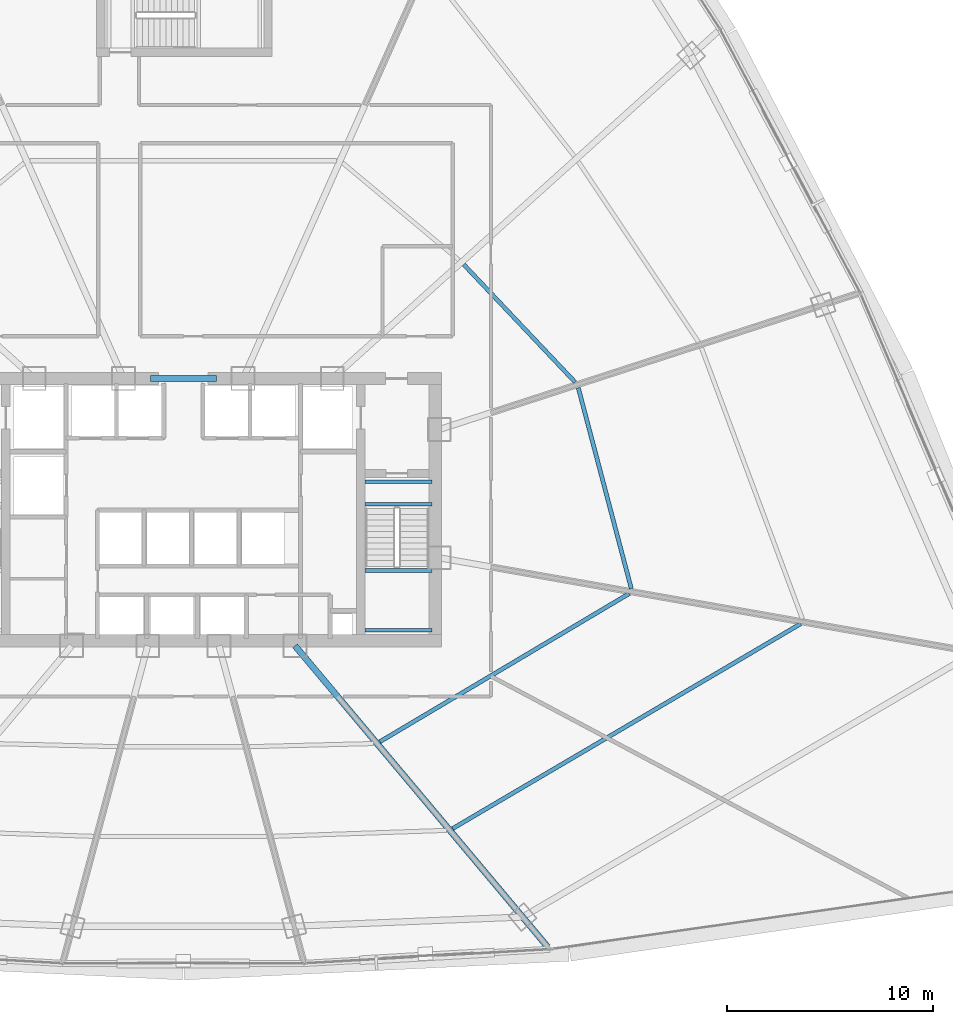
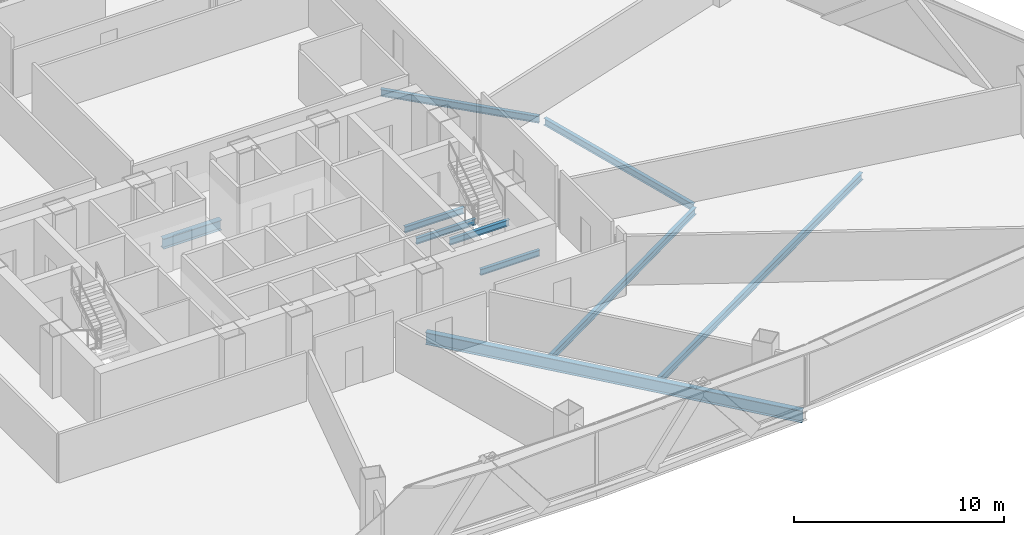
# One storey, part 13 of 39: 10 beams.
"""IFC4 building model written with IfcOpenShell, lengths in metres."""

from ifc_helpers import new_model, si_unit, direction, frame, origin, origin_2d, place, context, subcontext, project, spatial, i_section, extrude, source, transform, mapped, material, material_profile, profile_set, type_object, element, save


model = new_model("IFC4")

# Units and contexts
model_context = context("Model", 3, precision=1e-05, world=origin(), true_north=direction((0.0, 1.0)))
body_context = subcontext(model_context, "Body", "Model", "MODEL_VIEW")
ifc_project = project(units=[si_unit("LENGTHUNIT", "METRE"), si_unit("AREAUNIT", "SQUARE_METRE"), si_unit("VOLUMEUNIT", "CUBIC_METRE"), si_unit("PLANEANGLEUNIT", "RADIAN"), si_unit("MASSUNIT", "GRAM", prefix="KILO"), si_unit("THERMODYNAMICTEMPERATUREUNIT", "KELVIN"), si_unit("POWERUNIT", "WATT")], contexts=[model_context])

# Site, building, storey
site_placement = place(None, origin())
site = spatial("IfcSite", under=ifc_project, at=site_placement, CompositionType="ELEMENT")
building_placement = place(site_placement, origin())
building = spatial("IfcBuilding", under=site, at=building_placement, Name="Yunzhuo Pagoda Commons", CompositionType="ELEMENT")
storey_placement = place(building_placement, frame((0.0, 0.0, 100.179931640625)))
storey = spatial("IfcBuildingStorey", under=building, at=storey_placement, Name="L25", CompositionType="ELEMENT", Elevation=100.179931640625)

# Beams
ifc_material_1 = material(Name="Structural steel Q355B", Category="steel")
ifc_material_profile_1 = material_profile(ifc_material_1, i_section(OverallWidth=0.175048828125, OverallDepth=0.35009765625, WebThickness=0.007080078125, FlangeThickness=0.010986328125, at=origin_2d()), Name="Structural steel Q355B")
ifc_profile_set_1 = profile_set([ifc_material_profile_1], Name="Structural steel Q355B")
beam_type_1 = type_object("IfcBeamType", Name="B-JS2 Joist HN 350x175x7x11", PredefinedType="JOIST", material=ifc_profile_set_1)
shared_shape_1 = source(origin(), body_context, "Body", "SweptSolid", [
    extrude(i_section(OverallWidth=0.175048828125, OverallDepth=0.35009765625, WebThickness=0.007080078125, FlangeThickness=0.010986328125, at=origin_2d()), origin(), (0.0, 0.0, 1.0), 3.25),
])
for number, where, z_axis, x_axis, name in (
    (1, (56.800048828125, 28.0, 1.525146484375), (1.0, 0.0, 0.0), (0.0, 1.0, 0.0), "L25 ST2 landing support beam 31A"),
    (2, (56.800048828125, 30.89990234375, 1.525146484375), (1.0, 0.0, 0.0), (0.0, 1.0, 0.0), "L25 ST2 landing support beam 31B"),
    (3, (56.800048828125, 34.10009765625, -0.375), (1.0, 0.0, 0.0), (0.0, 1.0, 0.0), "L25 ST2 landing support beam 129A"),
    (4, (56.800048828125, 35.199951171875, -0.375), (1.0, 0.0, 0.0), (0.0, 1.0, 0.0), "L25 ST2 landing support beam 129B"),
):
    element("IfcBeam", number, at=place(storey_placement, frame(where, z_axis=z_axis, x_axis=x_axis)), inside=storey, type_object=beam_type_1, Name=name, PredefinedType="JOIST", context=body_context, shape_type="MappedRepresentation", body=[
        mapped(shared_shape_1, transform((0.0, 0.0, 0.0), scale=1.0)),
    ])
ifc_material_2 = material(Name="Structural steel Q420B", Category="steel")
ifc_material_profile_2 = material_profile(ifc_material_2, i_section(OverallWidth=0.300048828125, OverallDepth=0.587890625, WebThickness=0.011962890625, FlangeThickness=0.02001953125, at=origin_2d()), Name="Structural steel Q420B")
ifc_profile_set_2 = profile_set([ifc_material_profile_2], Name="Structural steel Q420B")
beam_type_2 = type_object("IfcBeamType", Name="B-CPL Beam HM 588x300x12x20", PredefinedType="BEAM", material=ifc_profile_set_2)
shared_shape_2 = source(origin(), body_context, "Body", "SweptSolid", [
    extrude(i_section(OverallWidth=0.300048828125, OverallDepth=0.587890625, WebThickness=0.011962890625, FlangeThickness=0.02001953125, at=origin_2d()), origin(), (0.0, 0.0, 1.0), 3.2001953125),
])
beam_1_placement = place(storey_placement, frame((46.39990234375, 40.199951171875, -0.553955078125), z_axis=(1.0, 0.0, 0.0), x_axis=(0.0, 1.0, 0.0)))
element("IfcBeam", 5, at=beam_1_placement, inside=storey, type_object=beam_type_2, Name="L25 core coupling girder", PredefinedType="BEAM", context=body_context, shape_type="MappedRepresentation", body=[
    mapped(shared_shape_2, transform((0.0, 0.0, 0.0), scale=1.0)),
])
ifc_material_profile_3 = material_profile(ifc_material_1, i_section(OverallWidth=0.199951171875, OverallDepth=0.39990234375, WebThickness=0.008056640625, FlangeThickness=0.012939453125, at=origin_2d()), Name="Structural steel Q355B")
ifc_profile_set_3 = profile_set([ifc_material_profile_3], Name="Structural steel Q355B")
beam_type_3 = type_object("IfcBeamType", Name="B-JS1 Joist HN 400x200x8x13", PredefinedType="JOIST", material=ifc_profile_set_3)
shared_shape_3 = source(origin(), body_context, "Body", "SweptSolid", [
    extrude(i_section(OverallWidth=0.199951171875, OverallDepth=0.39990234375, WebThickness=0.008056640625, FlangeThickness=0.012939453125, at=origin_2d()), origin(), (0.0, 0.0, 1.0), 14.061767578125),
])
beam_2_placement = place(storey_placement, frame((57.517578125, 22.601806640625, -0.4599609375), z_axis=(0.859683443923, 0.510827149088, 0.0), x_axis=(-0.510827149088, 0.859683443923, 0.0)))
element("IfcBeam", 6, at=beam_2_placement, inside=storey, type_object=beam_type_3, Name="L25 composite ring joist 1.4", PredefinedType="JOIST", context=body_context, shape_type="MappedRepresentation", body=[
    mapped(shared_shape_3, transform((0.0, 0.0, 0.0), scale=1.0)),
])
shared_shape_4 = source(origin(), body_context, "Body", "SweptSolid", [
    extrude(i_section(OverallWidth=0.199951171875, OverallDepth=0.39990234375, WebThickness=0.008056640625, FlangeThickness=0.012939453125, at=origin_2d()), origin(), (0.0, 0.0, 1.0), 19.568603515625),
])
beam_3_placement = place(storey_placement, frame((61.04541015625, 18.39697265625, -0.4599609375), z_axis=(0.861862685393, 0.50714170754, 0.0), x_axis=(-0.50714170754, 0.861862685393, 0.0)))
element("IfcBeam", 7, at=beam_3_placement, inside=storey, type_object=beam_type_3, Name="L25 composite ring joist 2.4", PredefinedType="JOIST", context=body_context, shape_type="MappedRepresentation", body=[
    mapped(shared_shape_4, transform((0.0, 0.0, 0.0), scale=1.0)),
])
shared_shape_5 = source(origin(), body_context, "Body", "SweptSolid", [
    extrude(i_section(OverallWidth=0.199951171875, OverallDepth=0.39990234375, WebThickness=0.008056640625, FlangeThickness=0.012939453125, at=origin_2d()), origin(), (0.0, 0.0, 1.0), 10.0634765625),
])
beam_4_placement = place(storey_placement, frame((69.702392578125, 30.019775390625, -0.4599609375), z_axis=(-0.255289713136, 0.966864603948, 0.0), x_axis=(-0.966864603948, -0.255289713136, 0.0)))
element("IfcBeam", 8, at=beam_4_placement, inside=storey, type_object=beam_type_3, Name="L25 composite ring joist 1.5", PredefinedType="JOIST", context=body_context, shape_type="MappedRepresentation", body=[
    mapped(shared_shape_5, transform((0.0, 0.0, 0.0), scale=1.0)),
])
shared_shape_6 = source(origin(), body_context, "Body", "SweptSolid", [
    extrude(i_section(OverallWidth=0.199951171875, OverallDepth=0.39990234375, WebThickness=0.008056640625, FlangeThickness=0.012939453125, at=origin_2d()), origin(), (0.0, 0.0, 1.0), 7.85009765625),
])
beam_5_placement = place(storey_placement, frame((66.9833984375, 40.01904296875, -0.4599609375), z_axis=(-0.687513423145, 0.726171669095, 0.0), x_axis=(-0.726171669095, -0.687513423145, 0.0)))
element("IfcBeam", 9, at=beam_5_placement, inside=storey, type_object=beam_type_3, Name="L25 composite ring joist 1.6", PredefinedType="JOIST", context=body_context, shape_type="MappedRepresentation", body=[
    mapped(shared_shape_6, transform((0.0, 0.0, 0.0), scale=1.0)),
])
ifc_material_profile_4 = material_profile(ifc_material_1, i_section(OverallWidth=0.300048828125, OverallDepth=0.699951171875, WebThickness=0.012939453125, FlangeThickness=0.02392578125, at=origin_2d()), Name="Structural steel Q355B")
ifc_profile_set_4 = profile_set([ifc_material_profile_4], Name="Structural steel Q355B")
beam_type_4 = type_object("IfcBeamType", Name="B-RG1 Beam HN 700x300x13x24", PredefinedType="BEAM", material=ifc_profile_set_4)
shared_shape_7 = source(origin(), body_context, "Body", "SweptSolid", [
    extrude(i_section(OverallWidth=0.300048828125, OverallDepth=0.699951171875, WebThickness=0.012939453125, FlangeThickness=0.02392578125, at=origin_2d()), origin(), (0.0, 0.0, 1.0), 19.038330078125),
])
beam_6_placement = place(storey_placement, frame((65.64990234375, 12.666015625, -0.60986328125), z_axis=(-0.642799231831, 0.766034690832, 0.0), x_axis=(-0.766034690832, -0.642799231831, 0.0)))
element("IfcBeam", 10, at=beam_6_placement, inside=storey, type_object=beam_type_4, Name="L25 radial floor girder F1C4", PredefinedType="BEAM", context=body_context, shape_type="MappedRepresentation", body=[
    mapped(shared_shape_7, transform((0.0, 0.0, 0.0), scale=1.0)),
])

save(model, "model.ifc")
